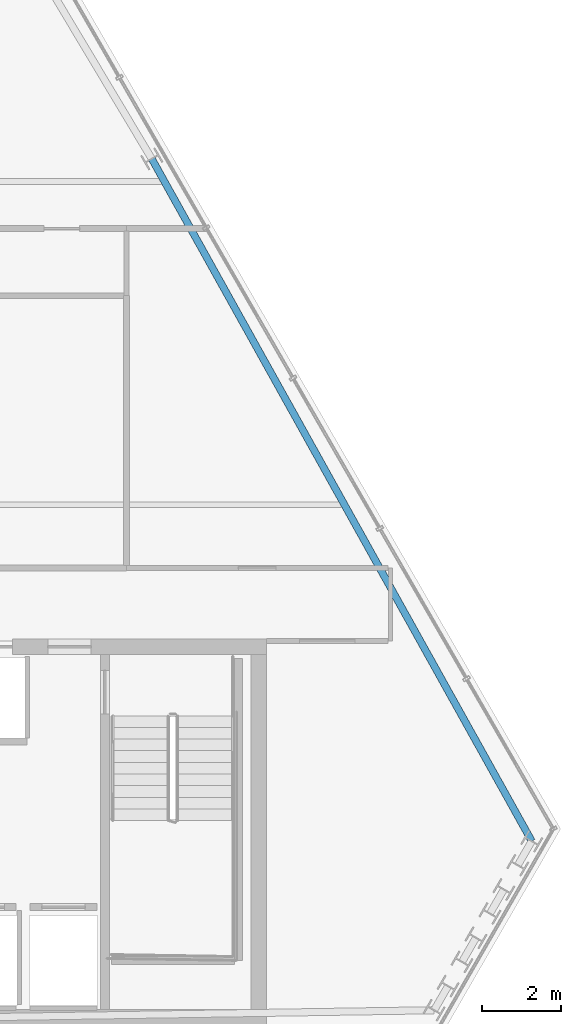
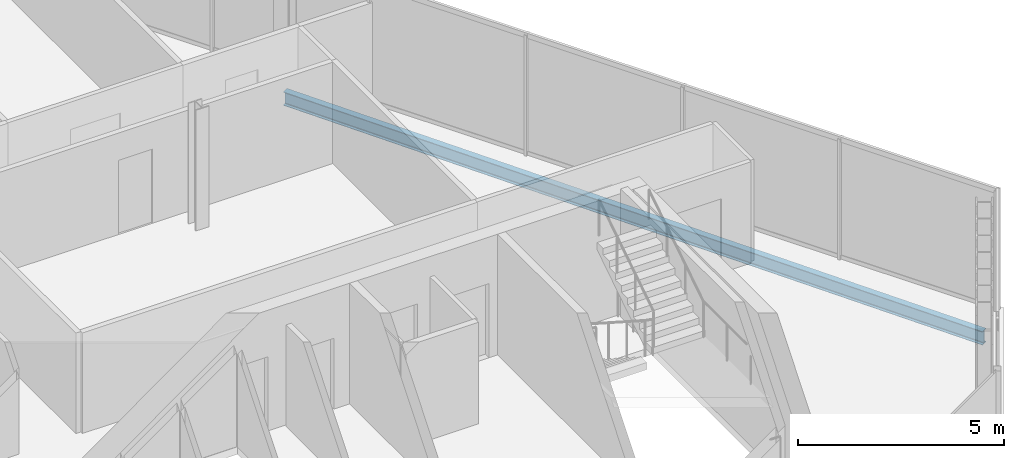
# One storey, part 21 of 32: 1 beam.
"""IFC4 building model written with IfcOpenShell, lengths in metres."""

from ifc_helpers import new_model, si_unit, direction, frame, origin, origin_2d, place, context, subcontext, project, spatial, i_section, extrude, material, material_profile, profile_set, type_object, element, save


model = new_model("IFC4")

# Units and contexts
model_context = context("Model", 3, precision=1e-05, world=origin(), true_north=direction((0.0, 1.0)))
body_context = subcontext(model_context, "Body", "Model", "MODEL_VIEW")
ifc_project = project(units=[si_unit("LENGTHUNIT", "METRE"), si_unit("AREAUNIT", "SQUARE_METRE"), si_unit("VOLUMEUNIT", "CUBIC_METRE"), si_unit("PLANEANGLEUNIT", "RADIAN"), si_unit("MASSUNIT", "GRAM", prefix="KILO")], contexts=[model_context])

# Site, building, storey
site_placement = place(None, origin())
site = spatial("IfcSite", under=ifc_project, at=site_placement, CompositionType="ELEMENT")
building_placement = place(site_placement, origin())
building = spatial("IfcBuilding", under=site, at=building_placement, Name="Ndaravel Arena Tower", CompositionType="ELEMENT")
storey_placement = place(building_placement, frame((0.0, 0.0, 256.0)))
storey = spatial("IfcBuildingStorey", under=building, at=storey_placement, Name="L62", CompositionType="ELEMENT", Elevation=256.0)

# Beam
ifc_material = material(Name="Steel S355", Category="steel")
ifc_material_profile = material_profile(ifc_material, i_section(OverallWidth=0.179931640625, OverallDepth=0.39990234375, WebThickness=0.008544921875, FlangeThickness=0.013427734375, FilletRadius=0.02099609375, at=origin_2d()), Name="IPE 400")
ifc_profile_set = profile_set([ifc_material_profile], Name="Steel S355")
beam_type = type_object("IfcBeamType", Name="BM-SPAN-IPE400", PredefinedType="SPANDREL", material=ifc_profile_set)
beam_placement = place(storey_placement, frame((64.270263671875, 10.073486328125, -0.419921875), z_axis=(-0.486534771205, 0.873661213748, 0.0), x_axis=(-0.873661213748, -0.486534771205, 0.0)))
element("IfcBeam", 1, at=beam_placement, inside=storey, type_object=beam_type, Name="L62 Perimeter Spandrel Beam SP-09", PredefinedType="SPANDREL", context=body_context, shape_type="SweptSolid", body=[
    extrude(i_section(OverallWidth=0.179931640625, OverallDepth=0.39990234375, WebThickness=0.008544921875, FlangeThickness=0.013427734375, FilletRadius=0.02099609375, at=origin_2d()), origin(), (0.0, 0.0, 1.0), 19.79736328125),
])

save(model, "model.ifc")
